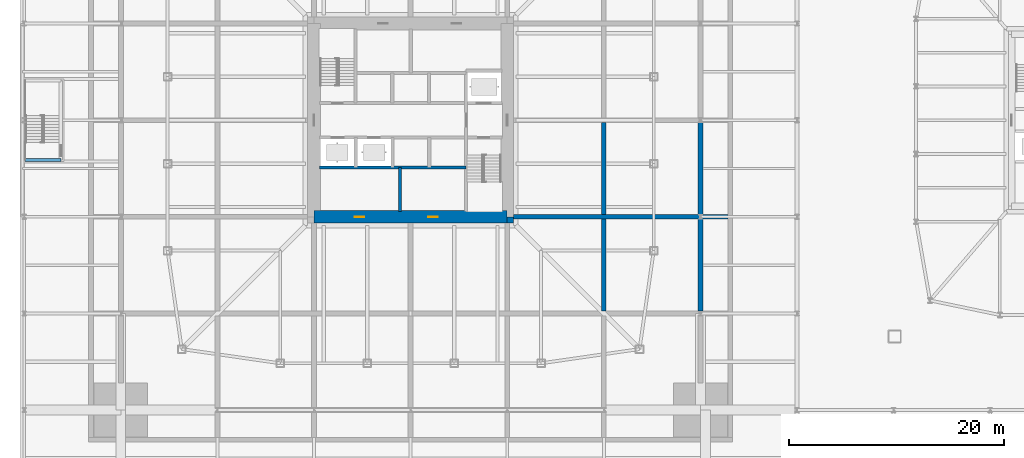
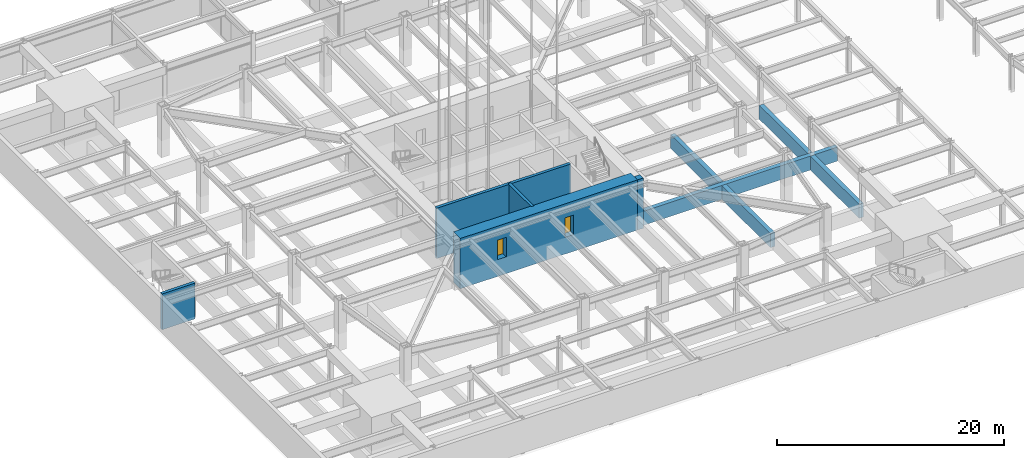
# One storey, part 12 of 35: 10 walls, 2 doors, 2 openings.
"""IFC4 building model written with IfcOpenShell, lengths in metres."""

from ifc_helpers import new_model, si_unit, direction, frame, frame_2d, origin, place, context, subcontext, project, spatial, rectangle, extrude, material, layer, layer_set, type_object, element, fill, save


model = new_model("IFC4")

# Units and contexts
model_context = context("Model", 3, precision=1e-05, world=origin(), true_north=direction((0.0, 1.0)))
body_context = subcontext(model_context, "Body", "Model", "MODEL_VIEW")
ifc_project = project(units=[si_unit("LENGTHUNIT", "METRE"), si_unit("AREAUNIT", "SQUARE_METRE"), si_unit("VOLUMEUNIT", "CUBIC_METRE"), si_unit("PLANEANGLEUNIT", "RADIAN"), si_unit("MASSUNIT", "GRAM", prefix="KILO")], contexts=[model_context])

# Site, building, storey
site_placement = place(None, origin())
site = spatial("IfcSite", under=ifc_project, at=site_placement, CompositionType="ELEMENT")
building_placement = place(site_placement, origin())
building = spatial("IfcBuilding", under=site, at=building_placement, Name="Iwan Alto Co-Living Towers", CompositionType="ELEMENT")
storey_placement = place(building_placement, frame((0.0, 0.0, -7.199951171875)))
storey = spatial("IfcBuildingStorey", under=building, at=storey_placement, Name="B2", CompositionType="ELEMENT", Elevation=-7.199951171875)

# Walls
ifc_material_1 = material(Name="Concrete f'c 35 MPa", Category="concrete")
ifc_layer_1 = layer(ifc_material_1, 0.449951171875)
ifc_layer_set_1 = layer_set([ifc_layer_1], Name="BOX CELL WALL 450")
wall_type_1 = type_object("IfcWallType", Name="BOX CELL WALL 450", PredefinedType="SOLIDWALL", material=ifc_layer_set_1)
wall_1_placement = place(storey_placement, frame((9.60009765625, -9.0, -1.800048828125), z_axis=(0.0, 0.0, 1.0), x_axis=(1.0, 0.0, 0.0)))
element("IfcWall", 1, at=wall_1_placement, inside=storey, type_object=wall_type_1, Name="T1 box cell wall on grid D", PredefinedType="SOLIDWALL", context=body_context, shape_type="SweptSolid", body=[
    extrude(rectangle(XDim=19.949951171875, YDim=0.449951171875, at=frame_2d((9.97509765625, 0.0))), origin(), (0.0, 0.0, 1.0), 1.5),
])
for number, where, z_axis, x_axis, name in (
    (2, (18.0, -17.77490234375, -1.800048828125), (0.0, 0.0, 1.0), (0.0, 1.0, 0.0), "T1 box cell wall on grid 7"),
    (3, (18.0, -8.77490234375, -1.800048828125), (0.0, 0.0, 1.0), (0.0, 1.0, 0.0), "T1 box cell wall on grid 7"),
    (4, (27.0, -17.77490234375, -1.800048828125), (0.0, 0.0, 1.0), (0.0, 1.0, 0.0), "T1 box cell wall on grid 8"),
    (5, (27.0, -8.77490234375, -1.800048828125), (0.0, 0.0, 1.0), (0.0, 1.0, 0.0), "T1 box cell wall on grid 8"),
):
    element("IfcWall", number, at=place(storey_placement, frame(where, z_axis=z_axis, x_axis=x_axis)), inside=storey, type_object=wall_type_1, Name=name, PredefinedType="SOLIDWALL", context=body_context, shape_type="SweptSolid", body=[
        extrude(rectangle(XDim=8.5498046875, YDim=0.449951171875, at=frame_2d((4.27490234375, 0.0))), origin(), (0.0, 0.0, 1.0), 1.5),
    ])
ifc_material_2 = material(Name="Concrete f'c 70 MPa", Category="concrete")
ifc_layer_2 = layer(ifc_material_2, 0.300048828125)
ifc_layer_set_2 = layer_set([ifc_layer_2], Name="SHAFT WALL 300")
wall_type_2 = type_object("IfcWallType", Name="SHAFT WALL 300", PredefinedType="SOLIDWALL", material=ifc_layer_set_2)
wall_2_placement = place(storey_placement, frame((-8.489990234375, -4.39990234375, -1.800048828125), z_axis=(0.0, 0.0, 1.0), x_axis=(1.0, 0.0, 0.0)))
element("IfcWall", 6, at=wall_2_placement, inside=storey, type_object=wall_type_2, Name="Shaft wall B2", PredefinedType="SOLIDWALL", context=body_context, shape_type="SweptSolid", body=[
    extrude(rectangle(XDim=13.639892578125, YDim=0.300048828125, at=frame_2d((6.81982421875, 0.0))), origin(), (0.0, 0.0, 1.0), 5.39990234375),
])
wall_3_placement = place(storey_placement, frame((-35.93994140625, -3.699951171875, -0.25), z_axis=(0.0, 0.0, 1.0), x_axis=(1.0, 0.0, 0.0)))
element("IfcWall", 7, at=wall_3_placement, inside=storey, type_object=wall_type_2, Name="Shaft wall B2", PredefinedType="SOLIDWALL", context=body_context, shape_type="SweptSolid", body=[
    extrude(rectangle(XDim=3.33984375, YDim=0.300048828125, at=frame_2d((1.669921875, 0.0))), origin(), (0.0, 0.0, 1.0), 3.849853515625),
])
wall_4_placement = place(storey_placement, frame((-1.0, -8.489990234375, -1.800048828125), z_axis=(0.0, 0.0, 1.0), x_axis=(0.0, 1.0, 0.0)))
element("IfcWall", 8, at=wall_4_placement, inside=storey, type_object=wall_type_2, Name="Shaft wall B2", PredefinedType="SOLIDWALL", context=body_context, shape_type="SweptSolid", body=[
    extrude(rectangle(XDim=4.090087890625, YDim=0.300048828125, at=frame_2d((2.044921875, 0.0))), origin(), (0.0, 0.0, 1.0), 5.39990234375),
])
ifc_material_3 = material(Name="Concrete f'c 70 MPa", Category="concrete")
ifc_layer_3 = layer(ifc_material_3, 0.60009765625)
ifc_layer_set_3 = layer_set([ifc_layer_3], Name="T1 CORE CORNER FILL 600")
wall_type_3 = type_object("IfcWallType", Name="T1 CORE CORNER FILL 600", PredefinedType="SOLIDWALL", material=ifc_layer_set_3)
wall_5_placement = place(storey_placement, frame((9.0, -9.300048828125, -1.800048828125), z_axis=(0.0, 0.0, 1.0), x_axis=(1.0, 0.0, 0.0)))
element("IfcWall", 9, at=wall_5_placement, inside=storey, type_object=wall_type_3, Name="T1 core corner SE B2", PredefinedType="SOLIDWALL", context=body_context, shape_type="SweptSolid", body=[
    extrude(rectangle(XDim=0.60009765625, YDim=0.60009765625, at=frame_2d((0.300048828125, 0.0))), origin(), (0.0, 0.0, 1.0), 5.39990234375),
])

# Wall, openings, doors
ifc_material_4 = material(Name="Concrete f'c 70 MPa", Category="concrete")
ifc_layer_4 = layer(ifc_material_4, 1.199951171875)
ifc_layer_set_4 = layer_set([ifc_layer_4], Name="T1 CORE WALL 1200")
wall_type_4 = type_object("IfcWallType", Name="T1 CORE WALL 1200", PredefinedType="SHEAR", material=ifc_layer_set_4)
wall_6_placement = place(storey_placement, frame((-9.0, -9.0, -1.800048828125), z_axis=(0.0, 0.0, 1.0), x_axis=(1.0, 0.0, 0.0)))
wall_6 = element("IfcWall", 10, at=wall_6_placement, inside=storey, type_object=wall_type_4, Name="T1 core wall S B2", PredefinedType="SHEAR", context=body_context, shape_type="SweptSolid", body=[
    extrude(rectangle(XDim=18.0, YDim=1.199951171875, at=frame_2d((9.0, 0.0))), origin(), (0.0, 0.0, 1.0), 5.39990234375),
])
opening_1_placement = place(wall_6_placement, frame((3.77490234375, 0.0, 1.800048828125)))
opening_1 = element("IfcOpeningElement", 11, at=opening_1_placement, cuts=wall_6, Name="Opening D8", PredefinedType="OPENING", context=body_context, shape_type="SweptSolid", body=[
    extrude(rectangle(XDim=0.89990234375, YDim=2.10009765625, at=frame_2d((0.449951171875, 1.050048828125))), frame((0.0, 0.60986328125, 0.0), z_axis=(0.0, -1.0, 0.0), x_axis=(1.0, 0.0, 0.0)), (0.0, 0.0, 1.0), 1.219970703125),
])
opening_2_placement = place(wall_6_placement, frame((10.625, 0.0, 1.800048828125)))
opening_2 = element("IfcOpeningElement", 12, at=opening_2_placement, cuts=wall_6, Name="Opening D8", PredefinedType="OPENING", context=body_context, shape_type="SweptSolid", body=[
    extrude(rectangle(XDim=0.89990234375, YDim=2.10009765625, at=frame_2d((0.449951171875, 1.050048828125))), frame((0.0, 0.60986328125, 0.0), z_axis=(0.0, -1.0, 0.0), x_axis=(1.0, 0.0, 0.0)), (0.0, 0.0, 1.0), 1.219970703125),
])
ifc_material_5 = material(Name="Steel frame with timber leaf", Category="steel")
door_type = type_object("IfcDoorType", Name="RISER DOOR FD120 900X2100", OperationType="SINGLE_SWING_LEFT", PredefinedType="DOOR", material=ifc_material_5)
door_1_placement = place(opening_1_placement, origin())
door_1 = element("IfcDoor", 13, at=door_1_placement, inside=storey, type_object=door_type, Name="Refuse room core door B2", OperationType="SINGLE_SWING_LEFT", OverallHeight=2.10009765625, OverallWidth=0.89990234375, PredefinedType="DOOR", context=body_context, shape_type="SweptSolid", body=[
    extrude(rectangle(XDim=0.89990234375, YDim=2.10009765625, at=frame_2d((0.449951171875, 1.050048828125))), frame((0.0, 0.02490234375, 0.0), z_axis=(0.0, -1.0, 0.0), x_axis=(1.0, 0.0, 0.0)), (0.0, 0.0, 1.0), 0.050048828125),
])
fill(opening_1, door_1)
door_2_placement = place(opening_2_placement, origin())
door_2 = element("IfcDoor", 14, at=door_2_placement, inside=storey, type_object=door_type, Name="Telecom riser core door B2", OperationType="SINGLE_SWING_LEFT", OverallHeight=2.10009765625, OverallWidth=0.89990234375, PredefinedType="DOOR", context=body_context, shape_type="SweptSolid", body=[
    extrude(rectangle(XDim=0.89990234375, YDim=2.10009765625, at=frame_2d((0.449951171875, 1.050048828125))), frame((0.0, 0.02490234375, 0.0), z_axis=(0.0, -1.0, 0.0), x_axis=(1.0, 0.0, 0.0)), (0.0, 0.0, 1.0), 0.050048828125),
])
fill(opening_2, door_2)

save(model, "model.ifc")
